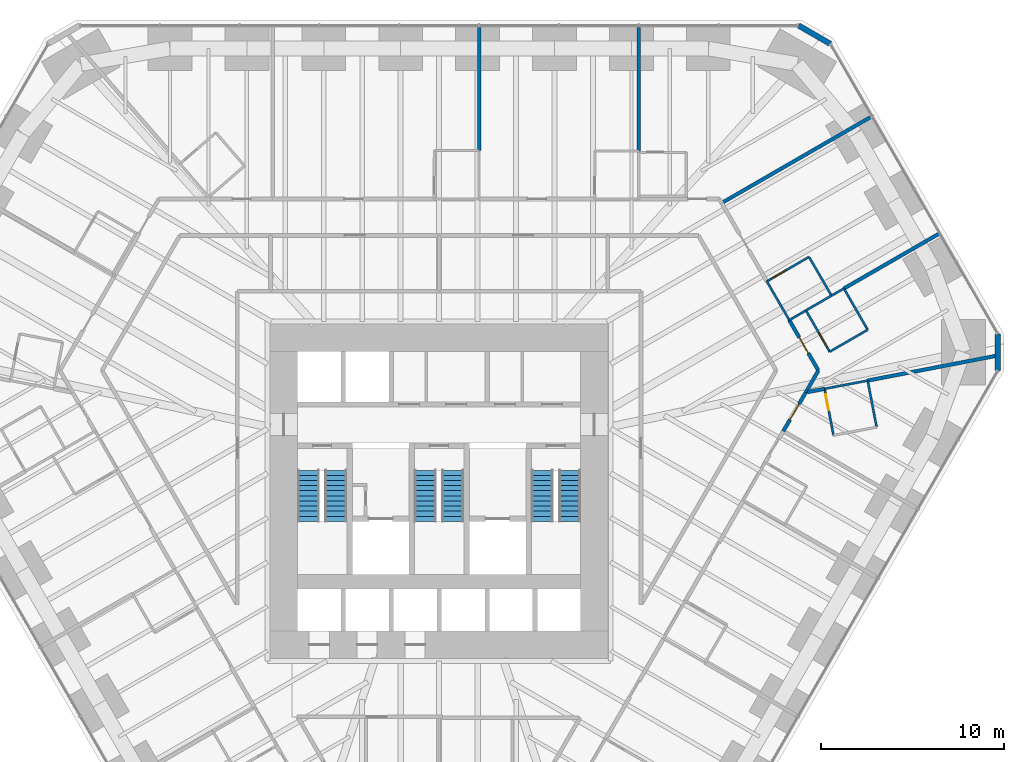
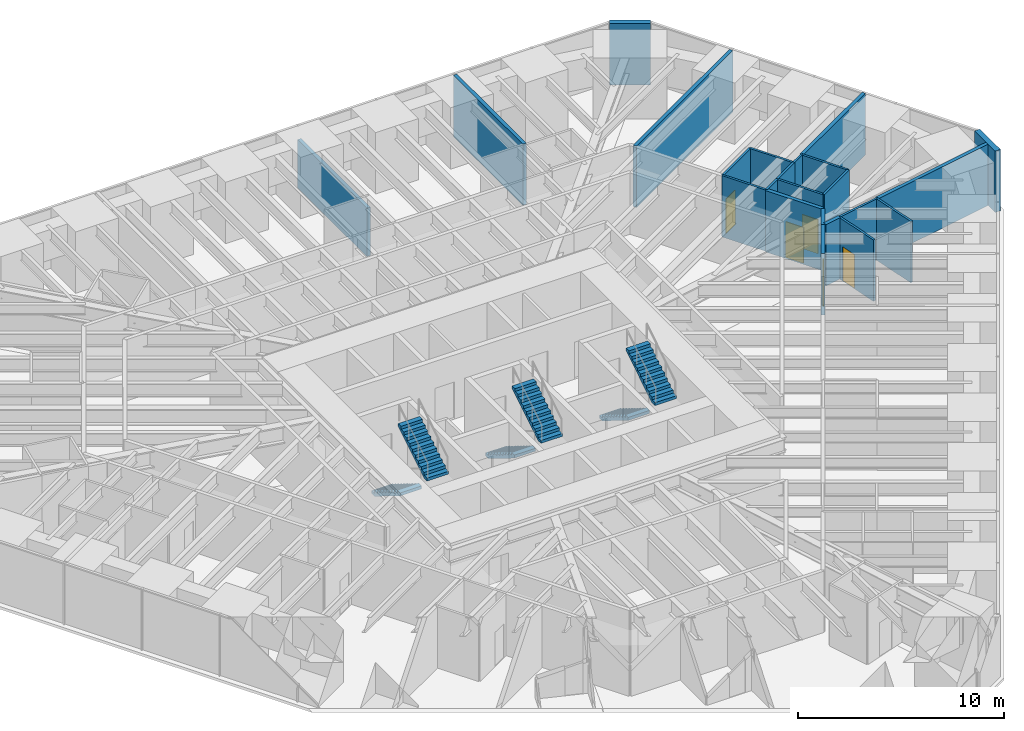
# One storey, part 16 of 17: 23 walls, 6 stair flights, 5 doors, 5 openings, 3 elements without a shape of their own.
"""IFC4 building model written with IfcOpenShell, lengths in metres."""

from ifc_helpers import new_model, si_unit, direction, frame, frame_2d, origin, place, context, subcontext, project, spatial, polyline, rectangle, outline, extrude, material, layer, layer_set, type_object, element, fill, aggregate, save


model = new_model("IFC4")

# Units and contexts
model_context = context("Model", 3, precision=1e-05, world=origin(), true_north=direction((0.0, 1.0)))
body_context = subcontext(model_context, "Body", "Model", "MODEL_VIEW")
ifc_project = project(units=[si_unit("LENGTHUNIT", "METRE"), si_unit("AREAUNIT", "SQUARE_METRE"), si_unit("VOLUMEUNIT", "CUBIC_METRE"), si_unit("PLANEANGLEUNIT", "RADIAN"), si_unit("MASSUNIT", "GRAM", prefix="KILO")], contexts=[model_context])

# Site, building, storey
site_placement = place(None, origin())
site = spatial("IfcSite", under=ifc_project, at=site_placement, CompositionType="ELEMENT")
building_placement = place(site_placement, origin())
building = spatial("IfcBuilding", under=site, at=building_placement, Name="Sandreach Pilgrim Tower", CompositionType="ELEMENT")
storey_placement = place(building_placement, frame((0.0, 0.0, 53.39990234375)))
storey = spatial("IfcBuildingStorey", under=building, at=storey_placement, Name="L12", CompositionType="ELEMENT", Elevation=53.39990234375)

# Walls
ifc_material_1 = material(Name="Moisture-resistant gypsum board on steel studs", Category="steel")
ifc_layer_1 = layer(ifc_material_1, 0.1201171875)
ifc_layer_set_1 = layer_set([ifc_layer_1], Name="Bathroom partition 120")
wall_type_1 = type_object("IfcWallType", Name="Bathroom partition 120", PredefinedType="PARTITIONING", material=ifc_layer_set_1)
wall_1_placement = place(storey_placement, frame((17.93994140625, 9.93994140625, 0.0), z_axis=(0.0, 0.0, 1.0), x_axis=(0.50162119259, -0.865087382375, 0.0)))
element("IfcWall", 1, at=wall_1_placement, inside=storey, type_object=wall_type_1, Name="Bathroom partition L12-140", PredefinedType="PARTITIONING", context=body_context, shape_type="SweptSolid", body=[
    extrude(rectangle(XDim=2.450927734375, YDim=0.1201171875, at=frame_2d((1.2255859375, 0.0))), origin(), (0.0, 0.0, 1.0), 3.64013671875),
])
wall_2_placement = place(storey_placement, frame((19.169921875, 7.820068359375, 0.0), z_axis=(0.0, 0.0, 1.0), x_axis=(0.864148586513, 0.503236743916, 0.0)))
element("IfcWall", 2, at=wall_2_placement, inside=storey, type_object=wall_type_1, Name="Bathroom partition L12-145", PredefinedType="PARTITIONING", context=body_context, shape_type="SweptSolid", body=[
    extrude(rectangle(XDim=1.05322265625, YDim=0.1201171875, at=frame_2d((0.526611328125, 0.0))), origin(), (0.0, 0.0, 1.0), 3.64013671875),
])

# Wall, opening, door
wall_3_placement = place(storey_placement, frame((20.080078125, 8.35009765625, 0.0), z_axis=(0.0, 0.0, 1.0), x_axis=(0.498557331759, -0.866856728041, 0.0)))
wall_3 = element("IfcWall", 3, at=wall_3_placement, inside=storey, type_object=wall_type_1, Name="Bathroom partition L12-148", PredefinedType="PARTITIONING", context=body_context, shape_type="SweptSolid", body=[
    extrude(rectangle(XDim=2.607177734375, YDim=0.1201171875, at=frame_2d((1.3037109375, 0.0))), origin(), (0.0, 0.0, 1.0), 3.64013671875),
])
opening_1_placement = place(wall_3_placement, frame((1.4072265625, 0.0, 0.0)))
opening_1 = element("IfcOpeningElement", 4, at=opening_1_placement, cuts=wall_3, Name="Opening D09-06B", PredefinedType="OPENING", context=body_context, shape_type="SweptSolid", body=[
    extrude(rectangle(XDim=0.89990234375, YDim=2.030029296875, at=frame_2d((0.449951171875, 1.01513671875))), frame((0.0, 0.06005859375, 0.0), z_axis=(0.0, -1.0, 0.0), x_axis=(1.0, 0.0, 0.0)), (0.0, 0.0, 1.0), 0.1201171875),
])
ifc_material_2 = material(Name="Timber door, steel frame", Category="steel")
door_type_1 = type_object("IfcDoorType", Name="Bathroom door", OperationType="SINGLE_SWING_LEFT", PredefinedType="DOOR", material=ifc_material_2)
door_1_placement = place(opening_1_placement, origin())
door_1 = element("IfcDoor", 5, at=door_1_placement, inside=storey, type_object=door_type_1, Name="Door 1206B", OperationType="SINGLE_SWING_RIGHT", OverallHeight=2.030029296875, OverallWidth=0.89990234375, PredefinedType="DOOR", context=body_context, shape_type="SweptSolid", body=[
    extrude(rectangle(XDim=0.89990234375, YDim=2.030029296875, at=frame_2d((0.449951171875, 1.01513671875))), frame((0.0, 0.02490234375, 0.0), z_axis=(0.0, -1.0, 0.0), x_axis=(1.0, 0.0, 0.0)), (0.0, 0.0, 1.0), 0.050048828125),
])
fill(opening_1, door_1)

# Wall
wall_4_placement = place(storey_placement, frame((20.080078125, 8.35009765625, 0.0), z_axis=(0.0, 0.0, 1.0), x_axis=(0.86577060138, 0.500441071242, 0.0)))
element("IfcWall", 6, at=wall_4_placement, inside=storey, type_object=wall_type_1, Name="Bathroom partition L12-149", PredefinedType="PARTITIONING", context=body_context, shape_type="SweptSolid", body=[
    extrude(rectangle(XDim=1.6171875, YDim=0.1201171875, at=frame_2d((0.80859375, 0.0))), origin(), (0.0, 0.0, 1.0), 3.64013671875),
])

# Wall, opening, door
wall_5_placement = place(storey_placement, frame((20.25, 11.280029296875, 0.0), z_axis=(0.0, 0.0, 1.0), x_axis=(-0.86498992408, -0.501789229896, 0.0)))
wall_5 = element("IfcWall", 7, at=wall_5_placement, inside=storey, type_object=wall_type_1, Name="Bathroom partition L12-152", PredefinedType="PARTITIONING", context=body_context, shape_type="SweptSolid", body=[
    extrude(rectangle(XDim=2.670654296875, YDim=0.1201171875, at=frame_2d((1.33544921875, 0.0))), origin(), (0.0, 0.0, 1.0), 3.64013671875),
])
opening_2_placement = place(wall_5_placement, frame((1.470458984375, 0.0, 0.0)))
opening_2 = element("IfcOpeningElement", 8, at=opening_2_placement, cuts=wall_5, Name="Opening D09-05B", PredefinedType="OPENING", context=body_context, shape_type="SweptSolid", body=[
    extrude(rectangle(XDim=0.89990234375, YDim=2.030029296875, at=frame_2d((0.449951171875, 1.01513671875))), frame((0.0, 0.06005859375, 0.0), z_axis=(0.0, -1.0, 0.0), x_axis=(1.0, 0.0, 0.0)), (0.0, 0.0, 1.0), 0.1201171875),
])
door_2_placement = place(opening_2_placement, origin())
door_2 = element("IfcDoor", 9, at=door_2_placement, inside=storey, type_object=door_type_1, Name="Door 1205B", OperationType="SINGLE_SWING_RIGHT", OverallHeight=2.030029296875, OverallWidth=0.89990234375, PredefinedType="DOOR", context=body_context, shape_type="SweptSolid", body=[
    extrude(rectangle(XDim=0.89990234375, YDim=2.030029296875, at=frame_2d((0.449951171875, 1.01513671875))), frame((0.0, 0.02490234375, 0.0), z_axis=(0.0, -1.0, 0.0), x_axis=(1.0, 0.0, 0.0)), (0.0, 0.0, 1.0), 0.050048828125),
])
fill(opening_2, door_2)

wall_6_placement = place(storey_placement, frame((21.10009765625, 4.06005859375, 0.0), z_axis=(0.0, 0.0, 1.0), x_axis=(0.188697442844, -0.982035271802, 0.0)))
wall_6 = element("IfcWall", 10, at=wall_6_placement, inside=storey, type_object=wall_type_1, Name="Bathroom partition L12-153", PredefinedType="PARTITIONING", context=body_context, shape_type="SweptSolid", body=[
    extrude(rectangle(XDim=2.5966796875, YDim=0.1201171875, at=frame_2d((1.29833984375, 0.0))), origin(), (0.0, 0.0, 1.0), 3.64013671875),
])
opening_3_placement = place(wall_6_placement, frame((0.300048828125, 0.0, 0.0)))
opening_3 = element("IfcOpeningElement", 11, at=opening_3_placement, cuts=wall_6, Name="Opening D09-07B", PredefinedType="OPENING", context=body_context, shape_type="SweptSolid", body=[
    extrude(rectangle(XDim=0.89990234375, YDim=2.030029296875, at=frame_2d((0.449951171875, 1.01513671875))), frame((0.0, 0.06005859375, 0.0), z_axis=(0.0, -1.0, 0.0), x_axis=(1.0, 0.0, 0.0)), (0.0, 0.0, 1.0), 0.1201171875),
])
door_3_placement = place(opening_3_placement, origin())
door_3 = element("IfcDoor", 12, at=door_3_placement, inside=storey, type_object=door_type_1, Name="Door 1207B", OperationType="SINGLE_SWING_LEFT", OverallHeight=2.030029296875, OverallWidth=0.89990234375, PredefinedType="DOOR", context=body_context, shape_type="SweptSolid", body=[
    extrude(rectangle(XDim=0.89990234375, YDim=2.030029296875, at=frame_2d((0.449951171875, 1.01513671875))), frame((0.0, 0.02490234375, 0.0), z_axis=(0.0, -1.0, 0.0), x_axis=(1.0, 0.0, 0.0)), (0.0, 0.0, 1.0), 0.050048828125),
])
fill(opening_3, door_3)

# Walls
wall_7_placement = place(storey_placement, frame((21.099853515625, 4.06005859375, 0.0), z_axis=(0.0, 0.0, 1.0), x_axis=(0.982307423658, 0.187275533444, 0.0)))
element("IfcWall", 13, at=wall_7_placement, inside=storey, type_object=wall_type_1, Name="Bathroom partition L12-154", PredefinedType="PARTITIONING", context=body_context, shape_type="SweptSolid", body=[
    extrude(rectangle(XDim=2.402587890625, YDim=0.1201171875, at=frame_2d((1.201171875, 0.0))), origin(), (0.0, 0.0, 1.0), 3.64013671875),
])
wall_8_placement = place(storey_placement, frame((21.3798828125, 6.090087890625, 0.0), z_axis=(0.0, 0.0, 1.0), x_axis=(0.866202511239, 0.499693115345, 0.0)))
element("IfcWall", 14, at=wall_8_placement, inside=storey, type_object=wall_type_1, Name="Bathroom partition L12-155", PredefinedType="PARTITIONING", context=body_context, shape_type="SweptSolid", body=[
    extrude(rectangle(XDim=2.4013671875, YDim=0.1201171875, at=frame_2d((1.20068359375, 0.0))), origin(), (0.0, 0.0, 1.0), 3.64013671875),
])
wall_9_placement = place(storey_placement, frame((21.47998046875, 9.159912109375, 0.0), z_axis=(0.0, 0.0, 1.0), x_axis=(-0.501813488763, 0.864975850817, 0.0)))
element("IfcWall", 15, at=wall_9_placement, inside=storey, type_object=wall_type_1, Name="Bathroom partition L12-156", PredefinedType="PARTITIONING", context=body_context, shape_type="SweptSolid", body=[
    extrude(rectangle(XDim=2.451171875, YDim=0.1201171875, at=frame_2d((1.2255859375, 0.0))), origin(), (0.0, 0.0, 1.0), 3.64013671875),
])
wall_10_placement = place(storey_placement, frame((21.480224609375, 9.159423828125, 0.0), z_axis=(0.0, 0.0, 1.0), x_axis=(0.867013943985, 0.498283875853, 0.0)))
element("IfcWall", 16, at=wall_10_placement, inside=storey, type_object=wall_type_1, Name="Bathroom partition L12-157", PredefinedType="PARTITIONING", context=body_context, shape_type="SweptSolid", body=[
    extrude(rectangle(XDim=0.783935546875, YDim=0.1201171875, at=frame_2d((0.39208984375, 0.0))), origin(), (0.0, 0.0, 1.0), 3.64013671875),
])
wall_11_placement = place(storey_placement, frame((23.4599609375, 7.2900390625, 0.0), z_axis=(0.0, 0.0, 1.0), x_axis=(-0.498627694264, 0.866816256489, 0.0)))
element("IfcWall", 17, at=wall_11_placement, inside=storey, type_object=wall_type_1, Name="Bathroom partition L12-161", PredefinedType="PARTITIONING", context=body_context, shape_type="SweptSolid", body=[
    extrude(rectangle(XDim=2.607177734375, YDim=0.1201171875, at=frame_2d((1.3037109375, 0.0))), origin(), (0.0, 0.0, 1.0), 3.64013671875),
])
wall_12_placement = place(storey_placement, frame((23.949951171875, 1.9599609375, 0.0), z_axis=(0.0, 0.0, 1.0), x_axis=(-0.188697442844, 0.982035271802, 0.0)))
element("IfcWall", 18, at=wall_12_placement, inside=storey, type_object=wall_type_1, Name="Bathroom partition L12-163", PredefinedType="PARTITIONING", context=body_context, shape_type="SweptSolid", body=[
    extrude(rectangle(XDim=2.5966796875, YDim=0.1201171875, at=frame_2d((1.29833984375, 0.0))), origin(), (0.0, 0.0, 1.0), 3.64013671875),
])

# Wall, opening, door
ifc_material_3 = material(Name="Gypsum board on steel studs, two layers each side", Category="steel")
ifc_layer_2 = layer(ifc_material_3, 0.199951171875)
ifc_layer_set_2 = layer_set([ifc_layer_2], Name="Corridor wall 200")
wall_type_2 = type_object("IfcWallType", Name="Corridor wall 200", PredefinedType="PARTITIONING", material=ifc_layer_set_2)
wall_13_placement = place(storey_placement, frame((18.840087890625, 1.739990234375, 0.0), z_axis=(0.0, 0.0, 1.0), x_axis=(0.501813488763, 0.864975850817, 0.0)))
wall_13 = element("IfcWall", 19, at=wall_13_placement, inside=storey, type_object=wall_type_2, Name="Corridor wall L12-142", PredefinedType="PARTITIONING", context=body_context, shape_type="SweptSolid", body=[
    extrude(rectangle(XDim=2.451171875, YDim=0.199951171875, at=frame_2d((1.2255859375, 0.0))), origin(), (0.0, 0.0, 1.0), 3.64013671875),
])
opening_4_placement = place(wall_13_placement, frame((0.7255859375, 0.0, 0.0)))
opening_4 = element("IfcOpeningElement", 20, at=opening_4_placement, cuts=wall_13, Name="Opening D10-07", PredefinedType="OPENING", context=body_context, shape_type="SweptSolid", body=[
    extrude(rectangle(XDim=1.0, YDim=2.1298828125, at=frame_2d((0.5, 1.06494140625))), frame((0.0, 0.10009765625, 0.0), z_axis=(0.0, -1.0, 0.0), x_axis=(1.0, 0.0, 0.0)), (0.0, 0.0, 1.0), 0.199951171875),
])
ifc_material_4 = material(Name="Steel door and frame", Category="steel")
door_type_2 = type_object("IfcDoorType", Name="Guest room entry door", OperationType="SINGLE_SWING_LEFT", PredefinedType="DOOR", material=ifc_material_4)
door_4_placement = place(opening_4_placement, origin())
door_4 = element("IfcDoor", 21, at=door_4_placement, inside=storey, type_object=door_type_2, Name="Door 1207", OperationType="SINGLE_SWING_LEFT", OverallHeight=2.1298828125, OverallWidth=1.0, PredefinedType="DOOR", context=body_context, shape_type="SweptSolid", body=[
    extrude(rectangle(XDim=1.0, YDim=2.1298828125, at=frame_2d((0.5, 1.06494140625))), frame((0.0, 0.02490234375, 0.0), z_axis=(0.0, -1.0, 0.0), x_axis=(1.0, 0.0, 0.0)), (0.0, 0.0, 1.0), 0.050048828125),
])
fill(opening_4, door_4)

wall_14_placement = place(storey_placement, frame((19.16943359375, 7.819580078125, 0.0), z_axis=(0.0, 0.0, 1.0), x_axis=(0.499379570303, -0.866383312838, 0.0)))
wall_14 = element("IfcWall", 22, at=wall_14_placement, inside=storey, type_object=wall_type_2, Name="Corridor wall L12-146", PredefinedType="PARTITIONING", context=body_context, shape_type="SweptSolid", body=[
    extrude(rectangle(XDim=3.18505859375, YDim=0.199951171875, at=frame_2d((1.592529296875, 0.0))), origin(), (0.0, 0.0, 1.0), 3.64013671875),
])
opening_5_placement = place(wall_14_placement, frame((1.092529296875, 0.0, 0.0)))
opening_5 = element("IfcOpeningElement", 23, at=opening_5_placement, cuts=wall_14, Name="Opening D10-06", PredefinedType="OPENING", context=body_context, shape_type="SweptSolid", body=[
    extrude(rectangle(XDim=1.0, YDim=2.1298828125, at=frame_2d((0.5, 1.06494140625))), frame((0.0, 0.10009765625, 0.0), z_axis=(0.0, -1.0, 0.0), x_axis=(1.0, 0.0, 0.0)), (0.0, 0.0, 1.0), 0.199951171875),
])
door_5_placement = place(opening_5_placement, origin())
door_5 = element("IfcDoor", 24, at=door_5_placement, inside=storey, type_object=door_type_2, Name="Door 1206", OperationType="SINGLE_SWING_LEFT", OverallHeight=2.1298828125, OverallWidth=1.0, PredefinedType="DOOR", context=body_context, shape_type="SweptSolid", body=[
    extrude(rectangle(XDim=1.0, YDim=2.1298828125, at=frame_2d((0.5, 1.06494140625))), frame((0.0, 0.02490234375, 0.0), z_axis=(0.0, -1.0, 0.0), x_axis=(1.0, 0.0, 0.0)), (0.0, 0.0, 1.0), 0.050048828125),
])
fill(opening_5, door_5)

# Walls
wall_15_placement = place(storey_placement, frame((20.070068359375, 3.860107421875, 0.0), z_axis=(0.0, 0.0, 1.0), x_axis=(0.49845455473, 0.866915830325, 0.0)))
element("IfcWall", 25, at=wall_15_placement, inside=storey, type_object=wall_type_2, Name="Corridor wall L12-147", PredefinedType="PARTITIONING", context=body_context, shape_type="SweptSolid", body=[
    extrude(rectangle(XDim=1.38427734375, YDim=0.199951171875, at=frame_2d((0.692138671875, 0.0))), origin(), (0.0, 0.0, 1.0), 3.64013671875),
])
ifc_material_5 = material(Name="Double steel stud acoustic wall, gypsum board", Category="steel")
ifc_layer_3 = layer(ifc_material_5, 0.199951171875)
ifc_layer_set_3 = layer_set([ifc_layer_3], Name="Party wall 200")
wall_type_3 = type_object("IfcWallType", Name="Party wall 200", PredefinedType="PARTITIONING", material=ifc_layer_set_3)
wall_16_placement = place(storey_placement, frame((2.18994140625, 23.830078125, 0.0), z_axis=(0.0, 0.0, 1.0), x_axis=(0.0, -1.0, 0.0)))
element("IfcWall", 26, at=wall_16_placement, inside=storey, type_object=wall_type_3, Name="Party wall L12-087", PredefinedType="PARTITIONING", context=body_context, shape_type="SweptSolid", body=[
    extrude(rectangle(XDim=6.72998046875, YDim=0.199951171875, at=frame_2d((3.364990234375, 0.0))), origin(), (0.0, 0.0, 1.0), 2.878173828125),
])
wall_17_placement = place(storey_placement, frame((10.929931640625, 23.830078125, 0.0), z_axis=(0.0, 0.0, 1.0), x_axis=(0.0, -1.0, 0.0)))
element("IfcWall", 27, at=wall_17_placement, inside=storey, type_object=wall_type_3, Name="Party wall L12-120", PredefinedType="PARTITIONING", context=body_context, shape_type="SweptSolid", body=[
    extrude(rectangle(XDim=6.760009765625, YDim=0.199951171875, at=frame_2d((3.3798828125, 0.0))), origin(), (0.0, 0.0, 1.0), 3.64013671875),
])
wall_18_placement = place(storey_placement, frame((20.168212890625, 3.879150390625, 0.0), z_axis=(0.0, 0.0, 1.0), x_axis=(0.981663556765, 0.190621775567, 0.0)))
element("IfcWall", 28, at=wall_18_placement, inside=storey, type_object=wall_type_3, Name="Party wall L12-151", PredefinedType="PARTITIONING", context=body_context, shape_type="SweptSolid", body=[
    extrude(rectangle(XDim=0.948974609375, YDim=0.199951171875, at=frame_2d((0.474609375, 0.0))), origin(), (0.0, 0.0, 1.0), 3.64013671875),
])
wall_19_placement = place(storey_placement, frame((22.159912109375, 9.550048828125, 0.0), z_axis=(0.0, 0.0, 1.0), x_axis=(0.866419851117, 0.499316173973, 0.0)))
element("IfcWall", 29, at=wall_19_placement, inside=storey, type_object=wall_type_3, Name="Party wall L12-159", PredefinedType="PARTITIONING", context=body_context, shape_type="SweptSolid", body=[
    extrude(rectangle(XDim=6.01806640625, YDim=0.199951171875, at=frame_2d((3.009033203125, 0.0))), origin(), (0.0, 0.0, 1.0), 3.64013671875),
])
wall_20_placement = place(storey_placement, frame((23.4599609375, 4.510009765625, 0.0), z_axis=(0.0, 0.0, 1.0), x_axis=(0.981929870864, 0.189245155035, 0.0)))
element("IfcWall", 30, at=wall_20_placement, inside=storey, type_object=wall_type_3, Name="Party wall L12-160", PredefinedType="PARTITIONING", context=body_context, shape_type="SweptSolid", body=[
    extrude(rectangle(XDim=7.26171875, YDim=0.199951171875, at=frame_2d((3.630859375, 0.0))), origin(), (0.0, 0.0, 1.0), 3.64013671875),
])
wall_21_placement = place(storey_placement, frame((23.595947265625, 18.919921875, 0.0), z_axis=(0.0, 0.0, 1.0), x_axis=(-0.866103566674, -0.499864593459, 0.0)))
element("IfcWall", 31, at=wall_21_placement, inside=storey, type_object=wall_type_3, Name="Party wall L12-162", PredefinedType="PARTITIONING", context=body_context, shape_type="SweptSolid", body=[
    extrude(rectangle(XDim=9.3671875, YDim=0.199951171875, at=frame_2d((4.68359375, 0.0))), origin(), (0.0, 0.0, 1.0), 3.64013671875),
])
ifc_material_6 = material(Name="Terracotta rainscreen on concrete", Category="masonry")
ifc_layer_4 = layer(ifc_material_6, 0.300048828125)
ifc_layer_set_4 = layer_set([ifc_layer_4], Name="Terracotta chamfer pier")
wall_type_4 = type_object("IfcWallType", Name="Terracotta chamfer pier", PredefinedType="SOLIDWALL", material=ifc_layer_set_4)
for number, where, z_axis, x_axis, name in (
    (32, (19.672119140625, 23.94873046875, 0.0), (0.0, 0.0, 1.0), (0.866010750942, -0.50002537861, 0.0), "Chamfer pier L12 N"),
    (33, (30.576171875, 7.062255859375, 0.0), (0.0, 0.0, 1.0), (0.0, -1.0, 0.0), "Chamfer pier L12 NE"),
):
    element("IfcWall", number, at=place(storey_placement, frame(where, z_axis=z_axis, x_axis=x_axis)), inside=storey, type_object=wall_type_4, Name=name, PredefinedType="SOLIDWALL", context=body_context, shape_type="SweptSolid", body=[
        extrude(rectangle(XDim=2.0, YDim=0.300048828125, at=frame_2d((1.0, 0.0))), origin(), (0.0, 0.0, 1.0), 3.64013671875),
    ])

# Stair, stair flights
ifc_material_7 = material(Name="Concrete 8000 psi", Category="concrete")
stair_type = type_object("IfcStairType", Name="Core exit stair", PredefinedType="HALF_TURN_STAIR", material=ifc_material_7)
stair_1_placement = place(storey_placement, origin())
stair_1 = element("IfcStair", 34, at=stair_1_placement, inside=storey, type_object=stair_type, Name="Exit stair ST1 L12", PredefinedType="HALF_TURN_STAIR")
ifc_material_8 = material(Name="Concrete 8000 psi", Category="concrete")
stair_flight_type = type_object("IfcStairFlightType", Name="Core stair flight 1200", PredefinedType="STRAIGHT", material=ifc_material_8)
stair_flight_1_placement = place(storey_placement, frame((-7.14990234375, -0.39990234375, 0.0), z_axis=(0.0, 0.0, 1.0), x_axis=(0.0, -1.0, 0.0)))
stair_flight_1 = element("IfcStairFlight", 35, at=stair_flight_1_placement, type_object=stair_flight_type, Name="ST1 flight 1", NumberOfRisers=11, NumberOfTreads=10, PredefinedType="STRAIGHT", RiserHeight=0.172727273, TreadLength=0.28, context=body_context, shape_type="SweptSolid", body=[
    extrude(outline(polyline([(0.0, 0.0), (0.0, 0.172607421875), (0.280029296875, 0.172607421875), (0.280029296875, 0.345458984375), (0.56005859375, 0.345458984375), (0.56005859375, 0.51806640625), (0.840087890625, 0.51806640625), (0.840087890625, 0.69091796875), (1.1201171875, 0.69091796875), (1.1201171875, 0.863525390625), (1.39990234375, 0.863525390625), (1.39990234375, 1.036376953125), (1.679931640625, 1.036376953125), (1.679931640625, 1.208984375), (1.9599609375, 1.208984375), (1.9599609375, 1.3818359375), (2.239990234375, 1.3818359375), (2.239990234375, 1.554443359375), (2.52001953125, 1.554443359375), (2.52001953125, 1.727294921875), (2.800048828125, 1.727294921875), (2.800048828125, 1.89990234375), (2.800048828125, 1.551025390625), (0.285400390625, 0.0), (0.0, 0.0)])), frame((0.0, 0.60009765625, 0.0), z_axis=(0.0, -1.0, 0.0), x_axis=(1.0, 0.0, 0.0)), (0.0, 0.0, 1.0), 1.199951171875),
])
stair_flight_2_placement = place(storey_placement, frame((-5.64990234375, -3.199951171875, 1.900146484375), z_axis=(0.0, 0.0, 1.0), x_axis=(0.0, 1.0, 0.0)))
stair_flight_2 = element("IfcStairFlight", 36, at=stair_flight_2_placement, type_object=stair_flight_type, Name="ST1 flight 2", NumberOfRisers=11, NumberOfTreads=10, PredefinedType="STRAIGHT", RiserHeight=0.172727273, TreadLength=0.28, context=body_context, shape_type="SweptSolid", body=[
    extrude(outline(polyline([(0.0, 0.0), (0.0, 0.172607421875), (0.280029296875, 0.172607421875), (0.280029296875, 0.345458984375), (0.56005859375, 0.345458984375), (0.56005859375, 0.51806640625), (0.840087890625, 0.51806640625), (0.840087890625, 0.69091796875), (1.1201171875, 0.69091796875), (1.1201171875, 0.863525390625), (1.39990234375, 0.863525390625), (1.39990234375, 1.036376953125), (1.679931640625, 1.036376953125), (1.679931640625, 1.208984375), (1.9599609375, 1.208984375), (1.9599609375, 1.3818359375), (2.239990234375, 1.3818359375), (2.239990234375, 1.554443359375), (2.52001953125, 1.554443359375), (2.52001953125, 1.727294921875), (2.800048828125, 1.727294921875), (2.800048828125, 1.89990234375), (2.800048828125, 1.551025390625), (0.285400390625, 0.0), (0.0, 0.0)])), frame((0.0, 0.60009765625, 0.0), z_axis=(0.0, -1.0, 0.0), x_axis=(1.0, 0.0, 0.0)), (0.0, 0.0, 1.0), 1.199951171875),
])
aggregate(stair_1, [stair_flight_1, stair_flight_2])

stair_2_placement = place(storey_placement, origin())
stair_2 = element("IfcStair", 37, at=stair_2_placement, inside=storey, type_object=stair_type, Name="Exit stair ST3 L12", PredefinedType="HALF_TURN_STAIR")
stair_flight_3_placement = place(storey_placement, frame((-0.75, -0.39990234375, 0.0), z_axis=(0.0, 0.0, 1.0), x_axis=(0.0, -1.0, 0.0)))
stair_flight_3 = element("IfcStairFlight", 38, at=stair_flight_3_placement, type_object=stair_flight_type, Name="ST3 flight 1", NumberOfRisers=11, NumberOfTreads=10, PredefinedType="STRAIGHT", RiserHeight=0.172727273, TreadLength=0.28, context=body_context, shape_type="SweptSolid", body=[
    extrude(outline(polyline([(0.0, 0.0), (0.0, 0.172607421875), (0.280029296875, 0.172607421875), (0.280029296875, 0.345458984375), (0.56005859375, 0.345458984375), (0.56005859375, 0.51806640625), (0.840087890625, 0.51806640625), (0.840087890625, 0.69091796875), (1.1201171875, 0.69091796875), (1.1201171875, 0.863525390625), (1.39990234375, 0.863525390625), (1.39990234375, 1.036376953125), (1.679931640625, 1.036376953125), (1.679931640625, 1.208984375), (1.9599609375, 1.208984375), (1.9599609375, 1.3818359375), (2.239990234375, 1.3818359375), (2.239990234375, 1.554443359375), (2.52001953125, 1.554443359375), (2.52001953125, 1.727294921875), (2.800048828125, 1.727294921875), (2.800048828125, 1.89990234375), (2.800048828125, 1.551025390625), (0.285400390625, 0.0), (0.0, 0.0)])), frame((0.0, 0.60009765625, 0.0), z_axis=(0.0, -1.0, 0.0), x_axis=(1.0, 0.0, 0.0)), (0.0, 0.0, 1.0), 1.199951171875),
])
stair_flight_4_placement = place(storey_placement, frame((0.75, -3.199951171875, 1.900146484375), z_axis=(0.0, 0.0, 1.0), x_axis=(0.0, 1.0, 0.0)))
stair_flight_4 = element("IfcStairFlight", 39, at=stair_flight_4_placement, type_object=stair_flight_type, Name="ST3 flight 2", NumberOfRisers=11, NumberOfTreads=10, PredefinedType="STRAIGHT", RiserHeight=0.172727273, TreadLength=0.28, context=body_context, shape_type="SweptSolid", body=[
    extrude(outline(polyline([(0.0, 0.0), (0.0, 0.172607421875), (0.280029296875, 0.172607421875), (0.280029296875, 0.345458984375), (0.56005859375, 0.345458984375), (0.56005859375, 0.51806640625), (0.840087890625, 0.51806640625), (0.840087890625, 0.69091796875), (1.1201171875, 0.69091796875), (1.1201171875, 0.863525390625), (1.39990234375, 0.863525390625), (1.39990234375, 1.036376953125), (1.679931640625, 1.036376953125), (1.679931640625, 1.208984375), (1.9599609375, 1.208984375), (1.9599609375, 1.3818359375), (2.239990234375, 1.3818359375), (2.239990234375, 1.554443359375), (2.52001953125, 1.554443359375), (2.52001953125, 1.727294921875), (2.800048828125, 1.727294921875), (2.800048828125, 1.89990234375), (2.800048828125, 1.551025390625), (0.285400390625, 0.0), (0.0, 0.0)])), frame((0.0, 0.60009765625, 0.0), z_axis=(0.0, -1.0, 0.0), x_axis=(1.0, 0.0, 0.0)), (0.0, 0.0, 1.0), 1.199951171875),
])
aggregate(stair_2, [stair_flight_3, stair_flight_4])

stair_3_placement = place(storey_placement, origin())
stair_3 = element("IfcStair", 40, at=stair_3_placement, inside=storey, type_object=stair_type, Name="Exit stair ST2 L12", PredefinedType="HALF_TURN_STAIR")
stair_flight_5_placement = place(storey_placement, frame((5.64990234375, -0.39990234375, 0.0), z_axis=(0.0, 0.0, 1.0), x_axis=(0.0, -1.0, 0.0)))
stair_flight_5 = element("IfcStairFlight", 41, at=stair_flight_5_placement, type_object=stair_flight_type, Name="ST2 flight 1", NumberOfRisers=11, NumberOfTreads=10, PredefinedType="STRAIGHT", RiserHeight=0.172727273, TreadLength=0.28, context=body_context, shape_type="SweptSolid", body=[
    extrude(outline(polyline([(0.0, 0.0), (0.0, 0.172607421875), (0.280029296875, 0.172607421875), (0.280029296875, 0.345458984375), (0.56005859375, 0.345458984375), (0.56005859375, 0.51806640625), (0.840087890625, 0.51806640625), (0.840087890625, 0.69091796875), (1.1201171875, 0.69091796875), (1.1201171875, 0.863525390625), (1.39990234375, 0.863525390625), (1.39990234375, 1.036376953125), (1.679931640625, 1.036376953125), (1.679931640625, 1.208984375), (1.9599609375, 1.208984375), (1.9599609375, 1.3818359375), (2.239990234375, 1.3818359375), (2.239990234375, 1.554443359375), (2.52001953125, 1.554443359375), (2.52001953125, 1.727294921875), (2.800048828125, 1.727294921875), (2.800048828125, 1.89990234375), (2.800048828125, 1.551025390625), (0.285400390625, 0.0), (0.0, 0.0)])), frame((0.0, 0.60009765625, 0.0), z_axis=(0.0, -1.0, 0.0), x_axis=(1.0, 0.0, 0.0)), (0.0, 0.0, 1.0), 1.199951171875),
])
stair_flight_6_placement = place(storey_placement, frame((7.14990234375, -3.199951171875, 1.900146484375), z_axis=(0.0, 0.0, 1.0), x_axis=(0.0, 1.0, 0.0)))
stair_flight_6 = element("IfcStairFlight", 42, at=stair_flight_6_placement, type_object=stair_flight_type, Name="ST2 flight 2", NumberOfRisers=11, NumberOfTreads=10, PredefinedType="STRAIGHT", RiserHeight=0.172727273, TreadLength=0.28, context=body_context, shape_type="SweptSolid", body=[
    extrude(outline(polyline([(0.0, 0.0), (0.0, 0.172607421875), (0.280029296875, 0.172607421875), (0.280029296875, 0.345458984375), (0.56005859375, 0.345458984375), (0.56005859375, 0.51806640625), (0.840087890625, 0.51806640625), (0.840087890625, 0.69091796875), (1.1201171875, 0.69091796875), (1.1201171875, 0.863525390625), (1.39990234375, 0.863525390625), (1.39990234375, 1.036376953125), (1.679931640625, 1.036376953125), (1.679931640625, 1.208984375), (1.9599609375, 1.208984375), (1.9599609375, 1.3818359375), (2.239990234375, 1.3818359375), (2.239990234375, 1.554443359375), (2.52001953125, 1.554443359375), (2.52001953125, 1.727294921875), (2.800048828125, 1.727294921875), (2.800048828125, 1.89990234375), (2.800048828125, 1.551025390625), (0.285400390625, 0.0), (0.0, 0.0)])), frame((0.0, 0.60009765625, 0.0), z_axis=(0.0, -1.0, 0.0), x_axis=(1.0, 0.0, 0.0)), (0.0, 0.0, 1.0), 1.199951171875),
])
aggregate(stair_3, [stair_flight_5, stair_flight_6])

save(model, "model.ifc")
